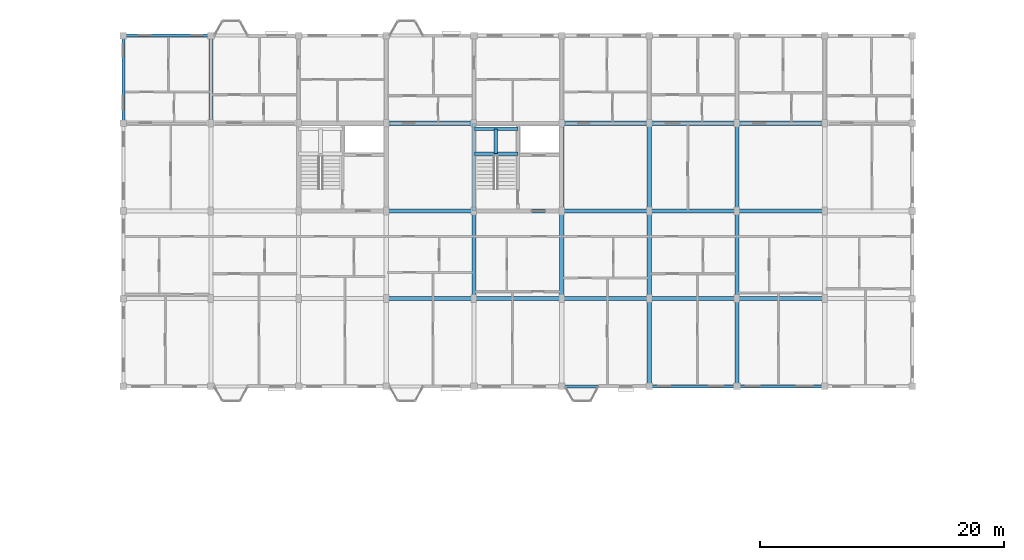
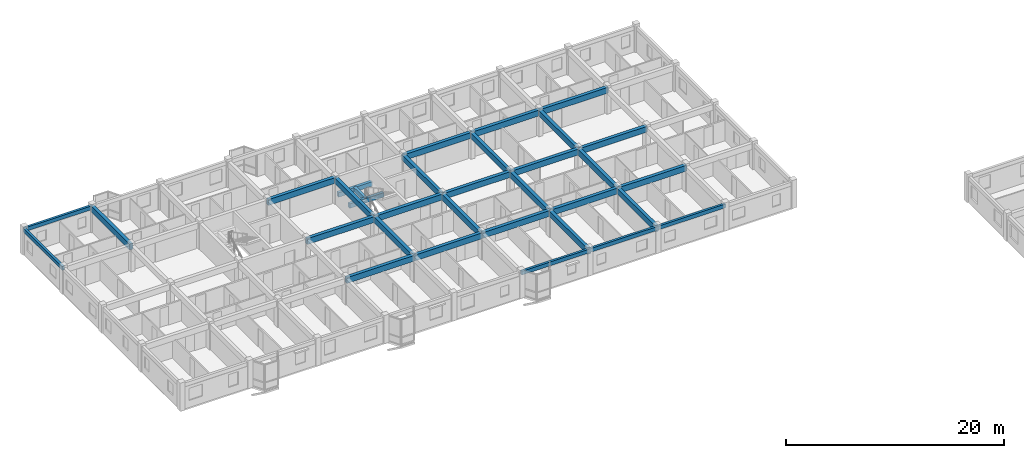
# One storey, part 41 of 77: 33 beams.
"""IFC4 building model written with IfcOpenShell, lengths in metres."""

from ifc_helpers import new_model, si_unit, direction, frame, origin, origin_2d, place, context, subcontext, project, spatial, rectangle, extrude, material, material_profile, profile_set, type_object, element, save


model = new_model("IFC4")

# Units and contexts
model_context = context("Model", 3, precision=1e-05, world=origin(), true_north=direction((0.0, 1.0)))
body_context = subcontext(model_context, "Body", "Model", "MODEL_VIEW")
ifc_project = project(units=[si_unit("LENGTHUNIT", "METRE"), si_unit("AREAUNIT", "SQUARE_METRE"), si_unit("VOLUMEUNIT", "CUBIC_METRE"), si_unit("PLANEANGLEUNIT", "RADIAN"), si_unit("MASSUNIT", "GRAM", prefix="KILO"), si_unit("THERMODYNAMICTEMPERATUREUNIT", "KELVIN"), si_unit("POWERUNIT", "WATT")], contexts=[model_context])

# Site, building, storey
site_placement = place(None, origin())
site = spatial("IfcSite", under=ifc_project, at=site_placement, CompositionType="ELEMENT")
building_placement = place(site_placement, origin())
building = spatial("IfcBuilding", under=site, at=building_placement, Name="Tavuni Mirador Residences", CompositionType="ELEMENT")
storey_placement = place(building_placement, frame((0.0, 0.0, 10.800048828125)))
storey = spatial("IfcBuildingStorey", under=building, at=storey_placement, Name="L03", CompositionType="ELEMENT", Elevation=10.800048828125)

# Beams
ifc_material = material(Name="Precast concrete C40/50", Category="concrete")
ifc_material_profile_1 = material_profile(ifc_material, rectangle(XDim=0.300048828125, YDim=0.5, at=origin_2d()), Name="PC 300x500", Category="concrete")
ifc_profile_set_1 = profile_set([ifc_material_profile_1], Name="Precast concrete C40/50")
beam_type_1 = type_object("IfcBeamType", Name="BT-B500", PredefinedType="BEAM", material=ifc_profile_set_1)
for number, where, z_axis, x_axis, name in (
    (1, (39.60009765625, 163.10009765625, 1.14501953125), (1.0, 0.0, 0.0), (0.0, 1.0, 0.0), "HLB1-C6-L03"),
    (2, (39.60009765625, 165.14990234375, 1.14501953125), (1.0, 0.0, 0.0), (0.0, 1.0, 0.0), "HLB2-C6-L03"),
):
    element("IfcBeam", number, at=place(storey_placement, frame(where, z_axis=z_axis, x_axis=x_axis)), inside=storey, type_object=beam_type_1, Name=name, PredefinedType="BEAM", context=body_context, shape_type="SweptSolid", body=[
        extrude(rectangle(XDim=0.300048828125, YDim=0.5, at=origin_2d()), origin(), (0.0, 0.0, 1.0), 3.599853515625),
    ])
beam_1_placement = place(storey_placement, frame((41.39990234375, 163.10009765625, 1.14501953125), z_axis=(0.0, 1.0, 0.0), x_axis=(-1.0, 0.0, 0.0)))
element("IfcBeam", 3, at=beam_1_placement, inside=storey, type_object=beam_type_1, Name="HLB3-C6-L03", PredefinedType="BEAM", context=body_context, shape_type="SweptSolid", body=[
    extrude(rectangle(XDim=0.300048828125, YDim=0.5, at=origin_2d()), origin(), (0.0, 0.0, 1.0), 2.0498046875),
])
ifc_material_profile_2 = material_profile(ifc_material, rectangle(XDim=0.35009765625, YDim=0.64990234375, at=origin_2d()), Name="PC 350x650", Category="concrete")
ifc_profile_set_2 = profile_set([ifc_material_profile_2], Name="Precast concrete C40/50")
beam_type_2 = type_object("IfcBeamType", Name="BT-B650", PredefinedType="BEAM", material=ifc_profile_set_2)
beam_2_placement = place(storey_placement, frame((32.39990234375, 151.199951171875, 2.56005859375), z_axis=(1.0, 0.0, 0.0), x_axis=(0.0, 1.0, 0.0)))
element("IfcBeam", 4, at=beam_2_placement, inside=storey, type_object=beam_type_2, Name="BMX-BLK-C-L03-03-01", PredefinedType="BEAM", context=body_context, shape_type="SweptSolid", body=[
    extrude(rectangle(XDim=0.35009765625, YDim=0.64990234375, at=origin_2d()), origin(), (0.0, 0.0, 1.0), 7.2001953125),
])
for number, where, z_axis, x_axis, name in (
    (5, (39.60009765625, 151.199951171875, 2.56005859375), (1.0, 0.0, 0.0), (0.0, 1.0, 0.0), "BMX-BLK-C-L03-04-01"),
    (6, (46.800048828125, 151.199951171875, 2.56005859375), (1.0, 0.0, 0.0), (0.0, 1.0, 0.0), "BMX-BLK-C-L03-05-01"),
    (7, (54.0, 151.199951171875, 2.56005859375), (1.0, 0.0, 0.0), (0.0, 1.0, 0.0), "BMX-BLK-C-L03-06-01"),
    (8, (61.199951171875, 151.199951171875, 2.56005859375), (1.0, 0.0, 0.0), (0.0, 1.0, 0.0), "BMX-BLK-C-L03-07-01"),
):
    element("IfcBeam", number, at=place(storey_placement, frame(where, z_axis=z_axis, x_axis=x_axis)), inside=storey, type_object=beam_type_2, Name=name, PredefinedType="BEAM", context=body_context, shape_type="SweptSolid", body=[
        extrude(rectangle(XDim=0.35009765625, YDim=0.64990234375, at=origin_2d()), origin(), (0.0, 0.0, 1.0), 7.199951171875),
    ])
beam_3_placement = place(storey_placement, frame((32.39990234375, 158.39990234375, 2.56005859375), z_axis=(1.0, 0.0, 0.0), x_axis=(0.0, 1.0, 0.0)))
element("IfcBeam", 9, at=beam_3_placement, inside=storey, type_object=beam_type_2, Name="BMX-BLK-C-L03-03-02", PredefinedType="BEAM", context=body_context, shape_type="SweptSolid", body=[
    extrude(rectangle(XDim=0.35009765625, YDim=0.64990234375, at=origin_2d()), origin(), (0.0, 0.0, 1.0), 7.2001953125),
])
for number, where, z_axis, x_axis, name in (
    (10, (39.60009765625, 158.39990234375, 2.56005859375), (1.0, 0.0, 0.0), (0.0, 1.0, 0.0), "BMX-BLK-C-L03-04-02"),
    (11, (46.800048828125, 158.39990234375, 2.56005859375), (1.0, 0.0, 0.0), (0.0, 1.0, 0.0), "BMX-BLK-C-L03-05-02"),
    (12, (54.0, 158.39990234375, 2.56005859375), (1.0, 0.0, 0.0), (0.0, 1.0, 0.0), "BMX-BLK-C-L03-06-02"),
    (13, (61.199951171875, 158.39990234375, 2.56005859375), (1.0, 0.0, 0.0), (0.0, 1.0, 0.0), "BMX-BLK-C-L03-07-02"),
):
    element("IfcBeam", number, at=place(storey_placement, frame(where, z_axis=z_axis, x_axis=x_axis)), inside=storey, type_object=beam_type_2, Name=name, PredefinedType="BEAM", context=body_context, shape_type="SweptSolid", body=[
        extrude(rectangle(XDim=0.35009765625, YDim=0.64990234375, at=origin_2d()), origin(), (0.0, 0.0, 1.0), 7.199951171875),
    ])
beam_4_placement = place(storey_placement, frame((32.39990234375, 165.60009765625, 2.56005859375), z_axis=(1.0, 0.0, 0.0), x_axis=(0.0, 1.0, 0.0)))
element("IfcBeam", 14, at=beam_4_placement, inside=storey, type_object=beam_type_2, Name="BMX-BLK-C-L03-03-03", PredefinedType="BEAM", context=body_context, shape_type="SweptSolid", body=[
    extrude(rectangle(XDim=0.35009765625, YDim=0.64990234375, at=origin_2d()), origin(), (0.0, 0.0, 1.0), 7.2001953125),
])
for number, where, z_axis, x_axis, name in (
    (15, (46.800048828125, 165.60009765625, 2.56005859375), (1.0, 0.0, 0.0), (0.0, 1.0, 0.0), "BMX-BLK-C-L03-05-03"),
    (16, (54.0, 165.60009765625, 2.56005859375), (1.0, 0.0, 0.0), (0.0, 1.0, 0.0), "BMX-BLK-C-L03-06-03"),
    (17, (61.199951171875, 165.60009765625, 2.56005859375), (1.0, 0.0, 0.0), (0.0, 1.0, 0.0), "BMX-BLK-C-L03-07-03"),
    (18, (18.0, 165.60009765625, 2.56005859375), (0.0, 1.0, 0.0), (-1.0, 0.0, 0.0), "BMY-BLK-C-L03-01-03"),
    (19, (39.60009765625, 151.199951171875, 2.56005859375), (0.0, 1.0, 0.0), (-1.0, 0.0, 0.0), "BMY-BLK-C-L03-04-01"),
):
    element("IfcBeam", number, at=place(storey_placement, frame(where, z_axis=z_axis, x_axis=x_axis)), inside=storey, type_object=beam_type_2, Name=name, PredefinedType="BEAM", context=body_context, shape_type="SweptSolid", body=[
        extrude(rectangle(XDim=0.35009765625, YDim=0.64990234375, at=origin_2d()), origin(), (0.0, 0.0, 1.0), 7.199951171875),
    ])
beam_5_placement = place(storey_placement, frame((39.60009765625, 158.39990234375, 2.56005859375), z_axis=(0.0, 1.0, 0.0), x_axis=(-1.0, 0.0, 0.0)))
element("IfcBeam", 20, at=beam_5_placement, inside=storey, type_object=beam_type_2, Name="BMY-BLK-C-L03-04-02", PredefinedType="BEAM", context=body_context, shape_type="SweptSolid", body=[
    extrude(rectangle(XDim=0.35009765625, YDim=0.64990234375, at=origin_2d()), origin(), (0.0, 0.0, 1.0), 7.2001953125),
])
beam_6_placement = place(storey_placement, frame((46.800048828125, 151.199951171875, 2.56005859375), z_axis=(0.0, 1.0, 0.0), x_axis=(-1.0, 0.0, 0.0)))
element("IfcBeam", 21, at=beam_6_placement, inside=storey, type_object=beam_type_2, Name="BMY-BLK-C-L03-05-01", PredefinedType="BEAM", context=body_context, shape_type="SweptSolid", body=[
    extrude(rectangle(XDim=0.35009765625, YDim=0.64990234375, at=origin_2d()), origin(), (0.0, 0.0, 1.0), 7.199951171875),
])
beam_7_placement = place(storey_placement, frame((46.800048828125, 158.39990234375, 2.56005859375), z_axis=(0.0, 1.0, 0.0), x_axis=(-1.0, 0.0, 0.0)))
element("IfcBeam", 22, at=beam_7_placement, inside=storey, type_object=beam_type_2, Name="BMY-BLK-C-L03-05-02", PredefinedType="BEAM", context=body_context, shape_type="SweptSolid", body=[
    extrude(rectangle(XDim=0.35009765625, YDim=0.64990234375, at=origin_2d()), origin(), (0.0, 0.0, 1.0), 7.2001953125),
])
for number, where, z_axis, x_axis, name in (
    (23, (54.0, 144.0, 2.56005859375), (0.0, 1.0, 0.0), (-1.0, 0.0, 0.0), "BMY-BLK-C-L03-06-00"),
    (24, (54.0, 151.199951171875, 2.56005859375), (0.0, 1.0, 0.0), (-1.0, 0.0, 0.0), "BMY-BLK-C-L03-06-01"),
):
    element("IfcBeam", number, at=place(storey_placement, frame(where, z_axis=z_axis, x_axis=x_axis)), inside=storey, type_object=beam_type_2, Name=name, PredefinedType="BEAM", context=body_context, shape_type="SweptSolid", body=[
        extrude(rectangle(XDim=0.35009765625, YDim=0.64990234375, at=origin_2d()), origin(), (0.0, 0.0, 1.0), 7.199951171875),
    ])
beam_8_placement = place(storey_placement, frame((54.0, 158.39990234375, 2.56005859375), z_axis=(0.0, 1.0, 0.0), x_axis=(-1.0, 0.0, 0.0)))
element("IfcBeam", 25, at=beam_8_placement, inside=storey, type_object=beam_type_2, Name="BMY-BLK-C-L03-06-02", PredefinedType="BEAM", context=body_context, shape_type="SweptSolid", body=[
    extrude(rectangle(XDim=0.35009765625, YDim=0.64990234375, at=origin_2d()), origin(), (0.0, 0.0, 1.0), 7.2001953125),
])
for number, where, z_axis, x_axis, name in (
    (26, (61.199951171875, 144.0, 2.56005859375), (0.0, 1.0, 0.0), (-1.0, 0.0, 0.0), "BMY-BLK-C-L03-07-00"),
    (27, (61.199951171875, 151.199951171875, 2.56005859375), (0.0, 1.0, 0.0), (-1.0, 0.0, 0.0), "BMY-BLK-C-L03-07-01"),
):
    element("IfcBeam", number, at=place(storey_placement, frame(where, z_axis=z_axis, x_axis=x_axis)), inside=storey, type_object=beam_type_2, Name=name, PredefinedType="BEAM", context=body_context, shape_type="SweptSolid", body=[
        extrude(rectangle(XDim=0.35009765625, YDim=0.64990234375, at=origin_2d()), origin(), (0.0, 0.0, 1.0), 7.199951171875),
    ])
beam_9_placement = place(storey_placement, frame((61.199951171875, 158.39990234375, 2.56005859375), z_axis=(0.0, 1.0, 0.0), x_axis=(-1.0, 0.0, 0.0)))
element("IfcBeam", 28, at=beam_9_placement, inside=storey, type_object=beam_type_2, Name="BMY-BLK-C-L03-07-02", PredefinedType="BEAM", context=body_context, shape_type="SweptSolid", body=[
    extrude(rectangle(XDim=0.35009765625, YDim=0.64990234375, at=origin_2d()), origin(), (0.0, 0.0, 1.0), 7.2001953125),
])
ifc_material_profile_3 = material_profile(ifc_material, rectangle(XDim=0.25, YDim=0.419921875, at=origin_2d()), Name="PC 250x420", Category="concrete")
ifc_profile_set_3 = profile_set([ifc_material_profile_3], Name="Precast concrete C40/50")
beam_type_3 = type_object("IfcBeamType", Name="BT-SP420", PredefinedType="SPANDREL", material=ifc_profile_set_3)
for number, where, z_axis, x_axis, name in (
    (29, (46.800048828125, 144.0, 2.675048828125), (1.0, 0.0, 0.0), (0.0, 1.0, 0.0), "BMX-BLK-C-L03-05-00"),
    (30, (54.0, 144.0, 2.675048828125), (1.0, 0.0, 0.0), (0.0, 1.0, 0.0), "BMX-BLK-C-L03-06-00"),
    (31, (61.199951171875, 144.0, 2.675048828125), (1.0, 0.0, 0.0), (0.0, 1.0, 0.0), "BMX-BLK-C-L03-07-00"),
    (32, (10.800048828125, 172.800048828125, 2.675048828125), (1.0, 0.0, 0.0), (0.0, 1.0, 0.0), "BMX-BLK-C-L03-00-04"),
    (33, (10.800048828125, 165.60009765625, 2.675048828125), (0.0, 1.0, 0.0), (-1.0, 0.0, 0.0), "BMY-BLK-C-L03-00-03"),
):
    element("IfcBeam", number, at=place(storey_placement, frame(where, z_axis=z_axis, x_axis=x_axis)), inside=storey, type_object=beam_type_3, Name=name, PredefinedType="SPANDREL", context=body_context, shape_type="SweptSolid", body=[
        extrude(rectangle(XDim=0.25, YDim=0.419921875, at=origin_2d()), origin(), (0.0, 0.0, 1.0), 7.199951171875),
    ])

save(model, "model.ifc")
